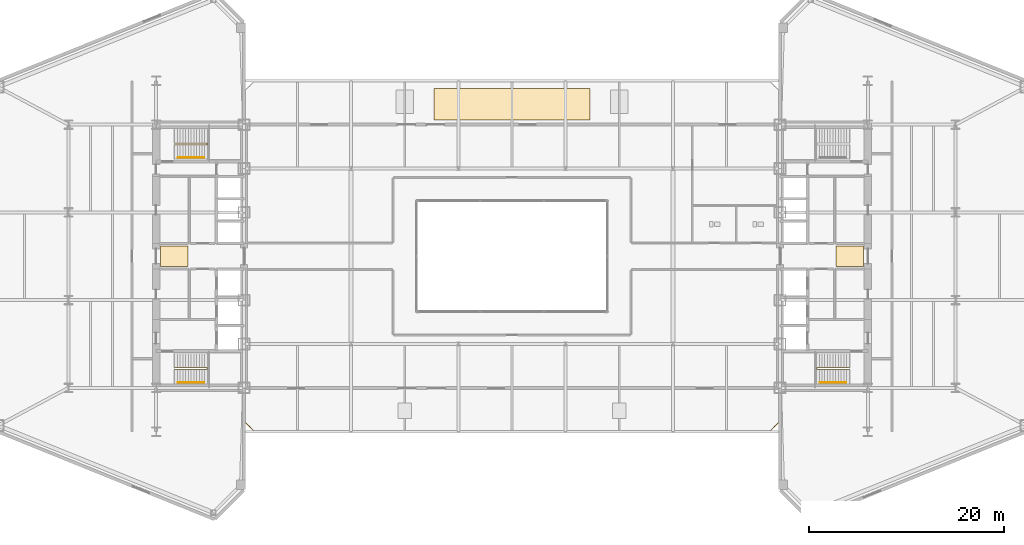
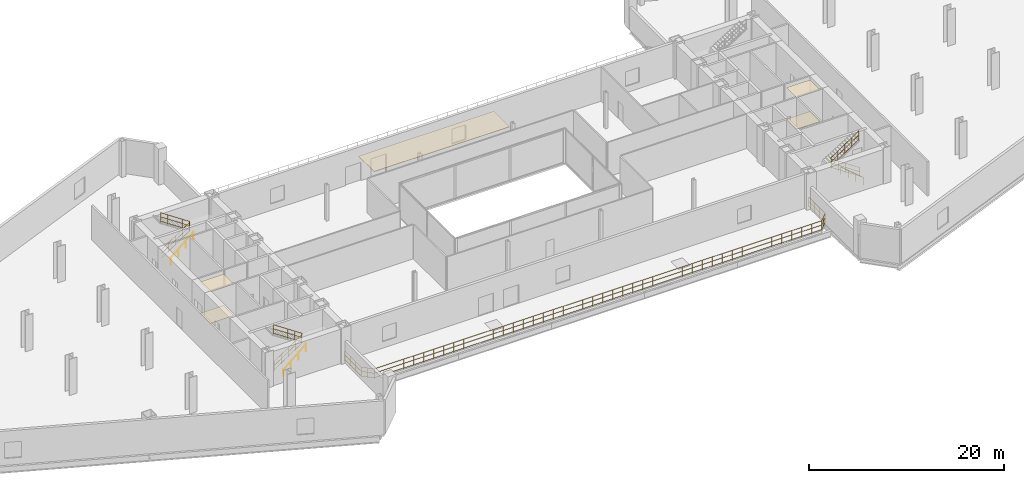
# One storey, part 21 of 23: 7 railings, 5 coverings.
"""IFC4 building model written with IfcOpenShell, lengths in metres."""

from ifc_helpers import new_model, si_unit, direction, frame, origin, origin_2d, place, context, subcontext, project, spatial, polyline, circle, outline, extrude, material, layer, layer_set, type_object, element, save


model = new_model("IFC4")

# Units and contexts
model_context = context("Model", 3, precision=1e-05, world=origin(), true_north=direction((0.0, 1.0)))
body_context = subcontext(model_context, "Body", "Model", "MODEL_VIEW")
ifc_project = project(units=[si_unit("LENGTHUNIT", "METRE"), si_unit("AREAUNIT", "SQUARE_METRE"), si_unit("VOLUMEUNIT", "CUBIC_METRE"), si_unit("PLANEANGLEUNIT", "RADIAN"), si_unit("MASSUNIT", "GRAM", prefix="KILO")], contexts=[model_context])

# Site, building, storey
site_placement = place(None, origin())
site = spatial("IfcSite", under=ifc_project, at=site_placement, CompositionType="ELEMENT")
building_placement = place(site_placement, origin())
building = spatial("IfcBuilding", under=site, at=building_placement, Name="Seokmaru Belvedere", CompositionType="ELEMENT")
storey_placement = place(building_placement, frame((0.0, 0.0, 14.39990234375)))
storey = spatial("IfcBuildingStorey", under=building, at=storey_placement, Name="L03", CompositionType="ELEMENT", Elevation=14.39990234375)

# Coverings
ifc_material_1 = material(Name="Honed Incheon Granite Stone", Category="masonry")
ifc_layer_1 = layer(ifc_material_1, 0.030029296875)
ifc_layer_set_1 = layer_set([ifc_layer_1], Name="Honed Incheon Granite Stone")
covering_type_1 = type_object("IfcCoveringType", Name="Honed Granite Lobby Floor Finish 30", PredefinedType="FLOORING", material=ifc_layer_set_1)
covering_1_placement = place(storey_placement, origin())
element("IfcCovering", 1, at=covering_1_placement, inside=storey, type_object=covering_type_1, Name="L03 W Foyer Floor Finish", PredefinedType="FLOORING", context=body_context, shape_type="SweptSolid", body=[
    extrude(outline(polyline([(-36.050048828125, -1.050048828125), (-33.25, -1.050048828125), (-33.25, 1.050048828125), (-36.050048828125, 1.050048828125), (-36.050048828125, -1.050048828125)])), origin(), (0.0, 0.0, 1.0), 0.030029296875),
])
covering_2_placement = place(storey_placement, origin())
element("IfcCovering", 2, at=covering_2_placement, inside=storey, type_object=covering_type_1, Name="L03 E Foyer Floor Finish", PredefinedType="FLOORING", context=body_context, shape_type="SweptSolid", body=[
    extrude(outline(polyline([(33.25, -1.050048828125), (36.050048828125, -1.050048828125), (36.050048828125, 1.050048828125), (33.25, 1.050048828125), (33.25, -1.050048828125)])), origin(), (0.0, 0.0, 1.0), 0.030029296875),
])
ifc_material_2 = material(Name="Insulated Elastomeric Roof Membrane")
ifc_layer_2 = layer(ifc_material_2, 0.06005859375)
ifc_layer_set_2 = layer_set([ifc_layer_2], Name="Insulated Elastomeric Roof Membrane")
covering_type_2 = type_object("IfcCoveringType", Name="Inverted Insulated Elastomeric Roof Membrane 60", PredefinedType="ROOFING", material=ifc_layer_set_2)
covering_3_placement = place(storey_placement, origin())
element("IfcCovering", 3, at=covering_3_placement, inside=storey, type_object=covering_type_2, Name="L03 Planted Terrace Waterproofing Membrane", PredefinedType="ROOFING", context=body_context, shape_type="SweptSolid", body=[
    extrude(outline(polyline([(-8.0, 14.0), (8.0, 14.0), (8.0, 17.199951171875), (-8.0, 17.199951171875), (-8.0, 14.0)])), origin(), (0.0, 0.0, 1.0), 0.06005859375),
])
ifc_material_3 = material(Name="Fire-Rated Gypsum Shaftwall")
ifc_layer_3 = layer(ifc_material_3, 0.02490234375)
ifc_layer_set_3 = layer_set([ifc_layer_3], Name="Fire-Rated Gypsum Shaftwall")
covering_type_3 = type_object("IfcCoveringType", Name="Perforated Acoustic Gypsum Suspended Ceiling 25", PredefinedType="CEILING", material=ifc_layer_set_3)
covering_4_placement = place(storey_placement, frame((0.0, 0.0, 3.93017578125)))
element("IfcCovering", 4, at=covering_4_placement, inside=storey, type_object=covering_type_3, Name="L03 W Lift Foyer Acoustic Ceiling", PredefinedType="CEILING", context=body_context, shape_type="SweptSolid", body=[
    extrude(outline(polyline([(-36.050048828125, -1.050048828125), (-33.25, -1.050048828125), (-33.25, 1.050048828125), (-36.050048828125, 1.050048828125), (-36.050048828125, -1.050048828125)])), origin(), (0.0, 0.0, 1.0), 0.02490234375),
])
covering_5_placement = place(storey_placement, frame((0.0, 0.0, 3.93017578125)))
element("IfcCovering", 5, at=covering_5_placement, inside=storey, type_object=covering_type_3, Name="L03 E Lift Foyer Acoustic Ceiling", PredefinedType="CEILING", context=body_context, shape_type="SweptSolid", body=[
    extrude(outline(polyline([(33.25, -1.050048828125), (36.050048828125, -1.050048828125), (36.050048828125, 1.050048828125), (33.25, 1.050048828125), (33.25, -1.050048828125)])), origin(), (0.0, 0.0, 1.0), 0.02490234375),
])

# Railings
ifc_material_4 = material(Name="Stainless Steel 316", Category="steel")
railing_type_1 = type_object("IfcRailingType", Name="Podium Garden Terrace Guardrail 1250", PredefinedType="GUARDRAIL", material=ifc_material_4)
railing_1_placement = place(storey_placement, frame((-27.419921875, -13.659912109375, 0.0)))
element("IfcRailing", 6, at=railing_1_placement, inside=storey, type_object=railing_type_1, Name="L03 South Cascading Terrace Guardrail", PredefinedType="GUARDRAIL", context=body_context, shape_type="SweptSolid", body=[
    extrude(circle(Radius=0.02392578125, at=origin_2d()), frame((0.0, 0.0, 1.22607421875), z_axis=(0.0, -1.0, 0.0), x_axis=(1.0, 0.0, 0.0)), (0.0, 0.0, 1.0), 3.340087890625),
    extrude(circle(Radius=0.02392578125, at=origin_2d()), frame((0.0, 0.0, 0.1201171875), z_axis=(0.0, -1.0, 0.0), x_axis=(1.0, 0.0, 0.0)), (0.0, 0.0, 1.0), 3.340087890625),
    extrude(circle(Radius=0.02392578125, at=origin_2d()), frame((0.0, 0.0, 0.6875), z_axis=(0.0, -1.0, 0.0), x_axis=(1.0, 0.0, 0.0)), (0.0, 0.0, 1.0), 3.340087890625),
    extrude(circle(Radius=0.02392578125, at=origin_2d()), frame((0.0, -3.340087890625, 1.22607421875), z_axis=(0.714441131143, -0.699695555318, 0.0), x_axis=(0.699695555318, 0.714441131143, 0.0)), (0.0, 0.0, 1.0), 1.357666015625),
    extrude(circle(Radius=0.02392578125, at=origin_2d()), frame((0.0, -3.340087890625, 0.1201171875), z_axis=(0.714441131143, -0.699695555318, 0.0), x_axis=(0.699695555318, 0.714441131143, 0.0)), (0.0, 0.0, 1.0), 1.357666015625),
    extrude(circle(Radius=0.02392578125, at=origin_2d()), frame((0.0, -3.340087890625, 0.6875), z_axis=(0.714441131143, -0.699695555318, 0.0), x_axis=(0.699695555318, 0.714441131143, 0.0)), (0.0, 0.0, 1.0), 1.357666015625),
    extrude(circle(Radius=0.02392578125, at=origin_2d()), frame((0.969970703125, -4.2900390625, 1.22607421875), z_axis=(1.0, 0.0, 0.0), x_axis=(0.0, 1.0, 0.0)), (0.0, 0.0, 1.0), 52.89990234375),
    extrude(circle(Radius=0.02392578125, at=origin_2d()), frame((0.969970703125, -4.2900390625, 0.1201171875), z_axis=(1.0, 0.0, 0.0), x_axis=(0.0, 1.0, 0.0)), (0.0, 0.0, 1.0), 52.89990234375),
    extrude(circle(Radius=0.02392578125, at=origin_2d()), frame((0.969970703125, -4.2900390625, 0.6875), z_axis=(1.0, 0.0, 0.0), x_axis=(0.0, 1.0, 0.0)), (0.0, 0.0, 1.0), 52.89990234375),
    extrude(circle(Radius=0.02392578125, at=origin_2d()), frame((53.869873046875, -4.2900390625, 1.22607421875), z_axis=(0.714441131143, 0.699695555318, 0.0), x_axis=(-0.699695555318, 0.714441131143, 0.0)), (0.0, 0.0, 1.0), 1.357666015625),
    extrude(circle(Radius=0.02392578125, at=origin_2d()), frame((53.869873046875, -4.2900390625, 0.1201171875), z_axis=(0.714441131143, 0.699695555318, 0.0), x_axis=(-0.699695555318, 0.714441131143, 0.0)), (0.0, 0.0, 1.0), 1.357666015625),
    extrude(circle(Radius=0.02392578125, at=origin_2d()), frame((53.869873046875, -4.2900390625, 0.6875), z_axis=(0.714441131143, 0.699695555318, 0.0), x_axis=(-0.699695555318, 0.714441131143, 0.0)), (0.0, 0.0, 1.0), 1.357666015625),
    extrude(circle(Radius=0.02392578125, at=origin_2d()), frame((54.83984375, -3.340087890625, 1.22607421875), z_axis=(0.0, 1.0, 0.0), x_axis=(-1.0, 0.0, 0.0)), (0.0, 0.0, 1.0), 3.340087890625),
    extrude(circle(Radius=0.02392578125, at=origin_2d()), frame((54.83984375, -3.340087890625, 0.1201171875), z_axis=(0.0, 1.0, 0.0), x_axis=(-1.0, 0.0, 0.0)), (0.0, 0.0, 1.0), 3.340087890625),
    extrude(circle(Radius=0.02392578125, at=origin_2d()), frame((54.83984375, -3.340087890625, 0.6875), z_axis=(0.0, 1.0, 0.0), x_axis=(-1.0, 0.0, 0.0)), (0.0, 0.0, 1.0), 3.340087890625),
    extrude(circle(Radius=0.02099609375, at=origin_2d()), origin(), (0.0, 0.0, 1.0), 1.201904296875),
    extrude(circle(Radius=0.02099609375, at=origin_2d()), frame((0.0, -1.11328125, 0.0)), (0.0, 0.0, 1.0), 1.201904296875),
    extrude(circle(Radius=0.02099609375, at=origin_2d()), frame((0.0, -2.226806640625, 0.0)), (0.0, 0.0, 1.0), 1.201904296875),
    extrude(circle(Radius=0.02099609375, at=origin_2d()), frame((0.0, -3.340087890625, 0.0)), (0.0, 0.0, 1.0), 1.201904296875),
    extrude(circle(Radius=0.02099609375, at=origin_2d()), frame((0.48486328125, -3.81494140625, 0.0)), (0.0, 0.0, 1.0), 1.201904296875),
    extrude(circle(Radius=0.02099609375, at=origin_2d()), frame((0.969970703125, -4.2900390625, 0.0)), (0.0, 0.0, 1.0), 1.201904296875),
    extrude(circle(Radius=0.02099609375, at=origin_2d()), frame((2.1455078125, -4.2900390625, 0.0)), (0.0, 0.0, 1.0), 1.201904296875),
    extrude(circle(Radius=0.02099609375, at=origin_2d()), frame((3.321044921875, -4.2900390625, 0.0)), (0.0, 0.0, 1.0), 1.201904296875),
    extrude(circle(Radius=0.02099609375, at=origin_2d()), frame((4.49658203125, -4.2900390625, 0.0)), (0.0, 0.0, 1.0), 1.201904296875),
    extrude(circle(Radius=0.02099609375, at=origin_2d()), frame((5.672119140625, -4.2900390625, 0.0)), (0.0, 0.0, 1.0), 1.201904296875),
    extrude(circle(Radius=0.02099609375, at=origin_2d()), frame((6.84765625, -4.2900390625, 0.0)), (0.0, 0.0, 1.0), 1.201904296875),
    extrude(circle(Radius=0.02099609375, at=origin_2d()), frame((8.023193359375, -4.2900390625, 0.0)), (0.0, 0.0, 1.0), 1.201904296875),
    extrude(circle(Radius=0.02099609375, at=origin_2d()), frame((9.19873046875, -4.2900390625, 0.0)), (0.0, 0.0, 1.0), 1.201904296875),
    extrude(circle(Radius=0.02099609375, at=origin_2d()), frame((10.37451171875, -4.2900390625, 0.0)), (0.0, 0.0, 1.0), 1.201904296875),
    extrude(circle(Radius=0.02099609375, at=origin_2d()), frame((11.550048828125, -4.2900390625, 0.0)), (0.0, 0.0, 1.0), 1.201904296875),
    extrude(circle(Radius=0.02099609375, at=origin_2d()), frame((12.7255859375, -4.2900390625, 0.0)), (0.0, 0.0, 1.0), 1.201904296875),
    extrude(circle(Radius=0.02099609375, at=origin_2d()), frame((13.901123046875, -4.2900390625, 0.0)), (0.0, 0.0, 1.0), 1.201904296875),
    extrude(circle(Radius=0.02099609375, at=origin_2d()), frame((15.07666015625, -4.2900390625, 0.0)), (0.0, 0.0, 1.0), 1.201904296875),
    extrude(circle(Radius=0.02099609375, at=origin_2d()), frame((16.252197265625, -4.2900390625, 0.0)), (0.0, 0.0, 1.0), 1.201904296875),
    extrude(circle(Radius=0.02099609375, at=origin_2d()), frame((17.427734375, -4.2900390625, 0.0)), (0.0, 0.0, 1.0), 1.201904296875),
    extrude(circle(Radius=0.02099609375, at=origin_2d()), frame((18.603271484375, -4.2900390625, 0.0)), (0.0, 0.0, 1.0), 1.201904296875),
    extrude(circle(Radius=0.02099609375, at=origin_2d()), frame((19.77880859375, -4.2900390625, 0.0)), (0.0, 0.0, 1.0), 1.201904296875),
    extrude(circle(Radius=0.02099609375, at=origin_2d()), frame((20.954345703125, -4.2900390625, 0.0)), (0.0, 0.0, 1.0), 1.201904296875),
    extrude(circle(Radius=0.02099609375, at=origin_2d()), frame((22.1298828125, -4.2900390625, 0.0)), (0.0, 0.0, 1.0), 1.201904296875),
    extrude(circle(Radius=0.02099609375, at=origin_2d()), frame((23.305419921875, -4.2900390625, 0.0)), (0.0, 0.0, 1.0), 1.201904296875),
    extrude(circle(Radius=0.02099609375, at=origin_2d()), frame((24.48095703125, -4.2900390625, 0.0)), (0.0, 0.0, 1.0), 1.201904296875),
    extrude(circle(Radius=0.02099609375, at=origin_2d()), frame((25.656494140625, -4.2900390625, 0.0)), (0.0, 0.0, 1.0), 1.201904296875),
    extrude(circle(Radius=0.02099609375, at=origin_2d()), frame((26.83203125, -4.2900390625, 0.0)), (0.0, 0.0, 1.0), 1.201904296875),
    extrude(circle(Radius=0.02099609375, at=origin_2d()), frame((28.0078125, -4.2900390625, 0.0)), (0.0, 0.0, 1.0), 1.201904296875),
    extrude(circle(Radius=0.02099609375, at=origin_2d()), frame((29.183349609375, -4.2900390625, 0.0)), (0.0, 0.0, 1.0), 1.201904296875),
    extrude(circle(Radius=0.02099609375, at=origin_2d()), frame((30.35888671875, -4.2900390625, 0.0)), (0.0, 0.0, 1.0), 1.201904296875),
    extrude(circle(Radius=0.02099609375, at=origin_2d()), frame((31.534423828125, -4.2900390625, 0.0)), (0.0, 0.0, 1.0), 1.201904296875),
    extrude(circle(Radius=0.02099609375, at=origin_2d()), frame((32.7099609375, -4.2900390625, 0.0)), (0.0, 0.0, 1.0), 1.201904296875),
    extrude(circle(Radius=0.02099609375, at=origin_2d()), frame((33.885498046875, -4.2900390625, 0.0)), (0.0, 0.0, 1.0), 1.201904296875),
    extrude(circle(Radius=0.02099609375, at=origin_2d()), frame((35.06103515625, -4.2900390625, 0.0)), (0.0, 0.0, 1.0), 1.201904296875),
    extrude(circle(Radius=0.02099609375, at=origin_2d()), frame((36.236572265625, -4.2900390625, 0.0)), (0.0, 0.0, 1.0), 1.201904296875),
    extrude(circle(Radius=0.02099609375, at=origin_2d()), frame((37.412109375, -4.2900390625, 0.0)), (0.0, 0.0, 1.0), 1.201904296875),
    extrude(circle(Radius=0.02099609375, at=origin_2d()), frame((38.587646484375, -4.2900390625, 0.0)), (0.0, 0.0, 1.0), 1.201904296875),
    extrude(circle(Radius=0.02099609375, at=origin_2d()), frame((39.76318359375, -4.2900390625, 0.0)), (0.0, 0.0, 1.0), 1.201904296875),
    extrude(circle(Radius=0.02099609375, at=origin_2d()), frame((40.938720703125, -4.2900390625, 0.0)), (0.0, 0.0, 1.0), 1.201904296875),
    extrude(circle(Radius=0.02099609375, at=origin_2d()), frame((42.1142578125, -4.2900390625, 0.0)), (0.0, 0.0, 1.0), 1.201904296875),
    extrude(circle(Radius=0.02099609375, at=origin_2d()), frame((43.289794921875, -4.2900390625, 0.0)), (0.0, 0.0, 1.0), 1.201904296875),
    extrude(circle(Radius=0.02099609375, at=origin_2d()), frame((44.46533203125, -4.2900390625, 0.0)), (0.0, 0.0, 1.0), 1.201904296875),
    extrude(circle(Radius=0.02099609375, at=origin_2d()), frame((45.64111328125, -4.2900390625, 0.0)), (0.0, 0.0, 1.0), 1.201904296875),
    extrude(circle(Radius=0.02099609375, at=origin_2d()), frame((46.816650390625, -4.2900390625, 0.0)), (0.0, 0.0, 1.0), 1.201904296875),
    extrude(circle(Radius=0.02099609375, at=origin_2d()), frame((47.9921875, -4.2900390625, 0.0)), (0.0, 0.0, 1.0), 1.201904296875),
    extrude(circle(Radius=0.02099609375, at=origin_2d()), frame((49.167724609375, -4.2900390625, 0.0)), (0.0, 0.0, 1.0), 1.201904296875),
    extrude(circle(Radius=0.02099609375, at=origin_2d()), frame((50.34326171875, -4.2900390625, 0.0)), (0.0, 0.0, 1.0), 1.201904296875),
    extrude(circle(Radius=0.02099609375, at=origin_2d()), frame((51.518798828125, -4.2900390625, 0.0)), (0.0, 0.0, 1.0), 1.201904296875),
    extrude(circle(Radius=0.02099609375, at=origin_2d()), frame((52.6943359375, -4.2900390625, 0.0)), (0.0, 0.0, 1.0), 1.201904296875),
    extrude(circle(Radius=0.02099609375, at=origin_2d()), frame((53.869873046875, -4.2900390625, 0.0)), (0.0, 0.0, 1.0), 1.201904296875),
    extrude(circle(Radius=0.02099609375, at=origin_2d()), frame((54.35498046875, -3.81494140625, 0.0)), (0.0, 0.0, 1.0), 1.201904296875),
    extrude(circle(Radius=0.02099609375, at=origin_2d()), frame((54.83984375, -3.340087890625, 0.0)), (0.0, 0.0, 1.0), 1.201904296875),
    extrude(circle(Radius=0.02099609375, at=origin_2d()), frame((54.83984375, -2.226806640625, 0.0)), (0.0, 0.0, 1.0), 1.201904296875),
    extrude(circle(Radius=0.02099609375, at=origin_2d()), frame((54.83984375, -1.11328125, 0.0)), (0.0, 0.0, 1.0), 1.201904296875),
    extrude(circle(Radius=0.02099609375, at=origin_2d()), frame((54.83984375, 0.0, 0.0)), (0.0, 0.0, 1.0), 1.201904296875),
])
railing_type_2 = type_object("IfcRailingType", Name="Stainless Steel Wall and Flight Handrail 900", PredefinedType="HANDRAIL", material=ifc_material_4)
for number, where, name in (
    (7, (-34.25, -12.949951171875, 0.0), "L03 Stair ST-W1 Wall Handrail"),
    (8, (-34.25, 10.110107421875, 0.0), "L03 Stair ST-W2 Wall Handrail"),
):
    element("IfcRailing", number, at=place(storey_placement, frame(where)), inside=storey, type_object=railing_type_2, Name=name, PredefinedType="HANDRAIL", context=body_context, shape_type="SweptSolid", body=[
        extrude(circle(Radius=0.02392578125, at=origin_2d()), frame((0.0, 0.0, 0.8759765625), z_axis=(0.763484625413, 0.0, 0.64582600347), x_axis=(0.0, 1.0, 0.0)), (0.0, 0.0, 1.0), 3.48388671875),
        extrude(circle(Radius=0.02099609375, at=origin_2d()), origin(), (0.0, 0.0, 1.0), 0.851806640625),
        extrude(circle(Radius=0.02099609375, at=origin_2d()), frame((0.88671875, 0.0, 0.75)), (0.0, 0.0, 1.0), 0.851806640625),
        extrude(circle(Radius=0.02099609375, at=origin_2d()), frame((1.773193359375, 0.0, 1.5)), (0.0, 0.0, 1.0), 0.851806640625),
        extrude(circle(Radius=0.02099609375, at=origin_2d()), frame((2.659912109375, 0.0, 2.25)), (0.0, 0.0, 1.0), 0.851806640625),
    ])
railing_2_placement = place(storey_placement, frame((34.25, -12.949951171875, 0.0)))
element("IfcRailing", 9, at=railing_2_placement, inside=storey, type_object=railing_type_2, Name="L03 Stair ST-E1 Wall Handrail", PredefinedType="HANDRAIL", context=body_context, shape_type="SweptSolid", body=[
    extrude(circle(Radius=0.02392578125, at=origin_2d()), frame((0.0, 0.0, 0.8759765625), z_axis=(-0.763484625413, 0.0, 0.64582600347), x_axis=(0.0, -1.0, 0.0)), (0.0, 0.0, 1.0), 3.48388671875),
    extrude(circle(Radius=0.02099609375, at=origin_2d()), origin(), (0.0, 0.0, 1.0), 0.851806640625),
    extrude(circle(Radius=0.02099609375, at=origin_2d()), frame((-0.88671875, 0.0, 0.75)), (0.0, 0.0, 1.0), 0.851806640625),
    extrude(circle(Radius=0.02099609375, at=origin_2d()), frame((-1.773193359375, 0.0, 1.5)), (0.0, 0.0, 1.0), 0.851806640625),
    extrude(circle(Radius=0.02099609375, at=origin_2d()), frame((-2.659912109375, 0.0, 2.25)), (0.0, 0.0, 1.0), 0.851806640625),
])
railing_type_3 = type_object("IfcRailingType", Name="Stair Well and Atrium Steel Guardrail 1200", PredefinedType="GUARDRAIL", material=ifc_material_4)
railing_3_placement = place(storey_placement, frame((-34.60009765625, -11.60009765625, 0.0)))
element("IfcRailing", 10, at=railing_3_placement, inside=storey, type_object=railing_type_3, Name="L03 Stair ST-W1 Inner Well Guardrail", PredefinedType="GUARDRAIL", context=body_context, shape_type="SweptSolid", body=[
    extrude(circle(Radius=0.02392578125, at=origin_2d()), frame((0.0, 0.0, 1.17578125), z_axis=(0.830915400975, 0.0, 0.556398774641), x_axis=(0.0, 1.0, 0.0)), (0.0, 0.0, 1.0), 4.0439453125),
    extrude(circle(Radius=0.02392578125, at=origin_2d()), frame((0.0, 0.0, 0.1201171875), z_axis=(0.830915400975, 0.0, 0.556398774641), x_axis=(0.0, 1.0, 0.0)), (0.0, 0.0, 1.0), 4.0439453125),
    extrude(circle(Radius=0.02392578125, at=origin_2d()), frame((0.0, 0.0, 0.659912109375), z_axis=(0.830915400975, 0.0, 0.556398774641), x_axis=(0.0, 1.0, 0.0)), (0.0, 0.0, 1.0), 4.0439453125),
    extrude(circle(Radius=0.02392578125, at=origin_2d()), frame((3.360107421875, 0.0, 3.42578125), z_axis=(0.0, 1.0, 0.0), x_axis=(-1.0, 0.0, 0.0)), (0.0, 0.0, 1.0), 0.14013671875),
    extrude(circle(Radius=0.02392578125, at=origin_2d()), frame((3.360107421875, 0.0, 2.3701171875), z_axis=(0.0, 1.0, 0.0), x_axis=(-1.0, 0.0, 0.0)), (0.0, 0.0, 1.0), 0.14013671875),
    extrude(circle(Radius=0.02392578125, at=origin_2d()), frame((3.360107421875, 0.0, 2.909912109375), z_axis=(0.0, 1.0, 0.0), x_axis=(-1.0, 0.0, 0.0)), (0.0, 0.0, 1.0), 0.14013671875),
    extrude(circle(Radius=0.02392578125, at=origin_2d()), frame((3.360107421875, 0.14013671875, 3.42578125), z_axis=(-0.830915400975, 0.0, 0.556398774641), x_axis=(0.0, -1.0, 0.0)), (0.0, 0.0, 1.0), 4.0439453125),
    extrude(circle(Radius=0.02392578125, at=origin_2d()), frame((3.360107421875, 0.14013671875, 2.3701171875), z_axis=(-0.830915400975, 0.0, 0.556398774641), x_axis=(0.0, -1.0, 0.0)), (0.0, 0.0, 1.0), 4.0439453125),
    extrude(circle(Radius=0.02392578125, at=origin_2d()), frame((3.360107421875, 0.14013671875, 2.909912109375), z_axis=(-0.830915400975, 0.0, 0.556398774641), x_axis=(0.0, -1.0, 0.0)), (0.0, 0.0, 1.0), 4.0439453125),
    extrude(circle(Radius=0.02099609375, at=origin_2d()), origin(), (0.0, 0.0, 1.0), 1.15185546875),
    extrude(circle(Radius=0.02099609375, at=origin_2d()), frame((0.840087890625, 0.0, 0.5625)), (0.0, 0.0, 1.0), 1.15185546875),
    extrude(circle(Radius=0.02099609375, at=origin_2d()), frame((1.68017578125, 0.0, 1.125)), (0.0, 0.0, 1.0), 1.15185546875),
    extrude(circle(Radius=0.02099609375, at=origin_2d()), frame((2.52001953125, 0.0, 1.6875)), (0.0, 0.0, 1.0), 1.15185546875),
    extrude(circle(Radius=0.02099609375, at=origin_2d()), frame((3.360107421875, 0.0, 2.25)), (0.0, 0.0, 1.0), 1.15185546875),
    extrude(circle(Radius=0.02099609375, at=origin_2d()), frame((3.360107421875, 0.14013671875, 2.25)), (0.0, 0.0, 1.0), 1.15185546875),
    extrude(circle(Radius=0.02099609375, at=origin_2d()), frame((2.52001953125, 0.14013671875, 2.8125)), (0.0, 0.0, 1.0), 1.15185546875),
    extrude(circle(Radius=0.02099609375, at=origin_2d()), frame((1.68017578125, 0.14013671875, 3.375)), (0.0, 0.0, 1.0), 1.15185546875),
    extrude(circle(Radius=0.02099609375, at=origin_2d()), frame((0.840087890625, 0.14013671875, 3.9375)), (0.0, 0.0, 1.0), 1.15185546875),
    extrude(circle(Radius=0.02099609375, at=origin_2d()), frame((0.0, 0.14013671875, 4.5)), (0.0, 0.0, 1.0), 1.15185546875),
])
railing_4_placement = place(storey_placement, frame((-34.60009765625, 11.4599609375, 0.0)))
element("IfcRailing", 11, at=railing_4_placement, inside=storey, type_object=railing_type_3, Name="L03 Stair ST-W2 Inner Well Guardrail", PredefinedType="GUARDRAIL", context=body_context, shape_type="SweptSolid", body=[
    extrude(circle(Radius=0.02392578125, at=origin_2d()), frame((0.0, 0.0, 1.17578125), z_axis=(0.830915400975, 0.0, 0.556398774641), x_axis=(0.0, 1.0, 0.0)), (0.0, 0.0, 1.0), 4.0439453125),
    extrude(circle(Radius=0.02392578125, at=origin_2d()), frame((0.0, 0.0, 0.1201171875), z_axis=(0.830915400975, 0.0, 0.556398774641), x_axis=(0.0, 1.0, 0.0)), (0.0, 0.0, 1.0), 4.0439453125),
    extrude(circle(Radius=0.02392578125, at=origin_2d()), frame((0.0, 0.0, 0.659912109375), z_axis=(0.830915400975, 0.0, 0.556398774641), x_axis=(0.0, 1.0, 0.0)), (0.0, 0.0, 1.0), 4.0439453125),
    extrude(circle(Radius=0.02392578125, at=origin_2d()), frame((3.360107421875, 0.0, 3.42578125), z_axis=(0.0, 1.0, 0.0), x_axis=(-1.0, 0.0, 0.0)), (0.0, 0.0, 1.0), 0.14013671875),
    extrude(circle(Radius=0.02392578125, at=origin_2d()), frame((3.360107421875, 0.0, 2.3701171875), z_axis=(0.0, 1.0, 0.0), x_axis=(-1.0, 0.0, 0.0)), (0.0, 0.0, 1.0), 0.14013671875),
    extrude(circle(Radius=0.02392578125, at=origin_2d()), frame((3.360107421875, 0.0, 2.909912109375), z_axis=(0.0, 1.0, 0.0), x_axis=(-1.0, 0.0, 0.0)), (0.0, 0.0, 1.0), 0.14013671875),
    extrude(circle(Radius=0.02392578125, at=origin_2d()), frame((3.360107421875, 0.14013671875, 3.42578125), z_axis=(-0.830915400975, 0.0, 0.556398774641), x_axis=(0.0, -1.0, 0.0)), (0.0, 0.0, 1.0), 4.0439453125),
    extrude(circle(Radius=0.02392578125, at=origin_2d()), frame((3.360107421875, 0.14013671875, 2.3701171875), z_axis=(-0.830915400975, 0.0, 0.556398774641), x_axis=(0.0, -1.0, 0.0)), (0.0, 0.0, 1.0), 4.0439453125),
    extrude(circle(Radius=0.02392578125, at=origin_2d()), frame((3.360107421875, 0.14013671875, 2.909912109375), z_axis=(-0.830915400975, 0.0, 0.556398774641), x_axis=(0.0, -1.0, 0.0)), (0.0, 0.0, 1.0), 4.0439453125),
    extrude(circle(Radius=0.02099609375, at=origin_2d()), origin(), (0.0, 0.0, 1.0), 1.15185546875),
    extrude(circle(Radius=0.02099609375, at=origin_2d()), frame((0.840087890625, 0.0, 0.5625)), (0.0, 0.0, 1.0), 1.15185546875),
    extrude(circle(Radius=0.02099609375, at=origin_2d()), frame((1.68017578125, 0.0, 1.125)), (0.0, 0.0, 1.0), 1.15185546875),
    extrude(circle(Radius=0.02099609375, at=origin_2d()), frame((2.52001953125, 0.0, 1.6875)), (0.0, 0.0, 1.0), 1.15185546875),
    extrude(circle(Radius=0.02099609375, at=origin_2d()), frame((3.360107421875, 0.0, 2.25)), (0.0, 0.0, 1.0), 1.15185546875),
    extrude(circle(Radius=0.02099609375, at=origin_2d()), frame((3.360107421875, 0.14013671875, 2.25)), (0.0, 0.0, 1.0), 1.15185546875),
    extrude(circle(Radius=0.02099609375, at=origin_2d()), frame((2.52001953125, 0.14013671875, 2.8125)), (0.0, 0.0, 1.0), 1.15185546875),
    extrude(circle(Radius=0.02099609375, at=origin_2d()), frame((1.68017578125, 0.14013671875, 3.375)), (0.0, 0.0, 1.0), 1.15185546875),
    extrude(circle(Radius=0.02099609375, at=origin_2d()), frame((0.840087890625, 0.14013671875, 3.9375)), (0.0, 0.0, 1.0), 1.15185546875),
    extrude(circle(Radius=0.02099609375, at=origin_2d()), frame((0.0, 0.14013671875, 4.5)), (0.0, 0.0, 1.0), 1.15185546875),
])
railing_5_placement = place(storey_placement, frame((34.60009765625, -11.60009765625, 0.0)))
element("IfcRailing", 12, at=railing_5_placement, inside=storey, type_object=railing_type_3, Name="L03 Stair ST-E1 Inner Well Guardrail", PredefinedType="GUARDRAIL", context=body_context, shape_type="SweptSolid", body=[
    extrude(circle(Radius=0.02392578125, at=origin_2d()), frame((0.0, 0.0, 1.17578125), z_axis=(-0.830915400975, 0.0, 0.556398774641), x_axis=(0.0, -1.0, 0.0)), (0.0, 0.0, 1.0), 4.0439453125),
    extrude(circle(Radius=0.02392578125, at=origin_2d()), frame((0.0, 0.0, 0.1201171875), z_axis=(-0.830915400975, 0.0, 0.556398774641), x_axis=(0.0, -1.0, 0.0)), (0.0, 0.0, 1.0), 4.0439453125),
    extrude(circle(Radius=0.02392578125, at=origin_2d()), frame((0.0, 0.0, 0.659912109375), z_axis=(-0.830915400975, 0.0, 0.556398774641), x_axis=(0.0, -1.0, 0.0)), (0.0, 0.0, 1.0), 4.0439453125),
    extrude(circle(Radius=0.02392578125, at=origin_2d()), frame((-3.360107421875, 0.0, 3.42578125), z_axis=(0.0, 1.0, 0.0), x_axis=(-1.0, 0.0, 0.0)), (0.0, 0.0, 1.0), 0.14013671875),
    extrude(circle(Radius=0.02392578125, at=origin_2d()), frame((-3.360107421875, 0.0, 2.3701171875), z_axis=(0.0, 1.0, 0.0), x_axis=(-1.0, 0.0, 0.0)), (0.0, 0.0, 1.0), 0.14013671875),
    extrude(circle(Radius=0.02392578125, at=origin_2d()), frame((-3.360107421875, 0.0, 2.909912109375), z_axis=(0.0, 1.0, 0.0), x_axis=(-1.0, 0.0, 0.0)), (0.0, 0.0, 1.0), 0.14013671875),
    extrude(circle(Radius=0.02392578125, at=origin_2d()), frame((-3.360107421875, 0.14013671875, 3.42578125), z_axis=(0.830915400975, 0.0, 0.556398774641), x_axis=(0.0, 1.0, 0.0)), (0.0, 0.0, 1.0), 4.0439453125),
    extrude(circle(Radius=0.02392578125, at=origin_2d()), frame((-3.360107421875, 0.14013671875, 2.3701171875), z_axis=(0.830915400975, 0.0, 0.556398774641), x_axis=(0.0, 1.0, 0.0)), (0.0, 0.0, 1.0), 4.0439453125),
    extrude(circle(Radius=0.02392578125, at=origin_2d()), frame((-3.360107421875, 0.14013671875, 2.909912109375), z_axis=(0.830915400975, 0.0, 0.556398774641), x_axis=(0.0, 1.0, 0.0)), (0.0, 0.0, 1.0), 4.0439453125),
    extrude(circle(Radius=0.02099609375, at=origin_2d()), origin(), (0.0, 0.0, 1.0), 1.15185546875),
    extrude(circle(Radius=0.02099609375, at=origin_2d()), frame((-0.840087890625, 0.0, 0.5625)), (0.0, 0.0, 1.0), 1.15185546875),
    extrude(circle(Radius=0.02099609375, at=origin_2d()), frame((-1.68017578125, 0.0, 1.125)), (0.0, 0.0, 1.0), 1.15185546875),
    extrude(circle(Radius=0.02099609375, at=origin_2d()), frame((-2.52001953125, 0.0, 1.6875)), (0.0, 0.0, 1.0), 1.15185546875),
    extrude(circle(Radius=0.02099609375, at=origin_2d()), frame((-3.360107421875, 0.0, 2.25)), (0.0, 0.0, 1.0), 1.15185546875),
    extrude(circle(Radius=0.02099609375, at=origin_2d()), frame((-3.360107421875, 0.14013671875, 2.25)), (0.0, 0.0, 1.0), 1.15185546875),
    extrude(circle(Radius=0.02099609375, at=origin_2d()), frame((-2.52001953125, 0.14013671875, 2.8125)), (0.0, 0.0, 1.0), 1.15185546875),
    extrude(circle(Radius=0.02099609375, at=origin_2d()), frame((-1.68017578125, 0.14013671875, 3.375)), (0.0, 0.0, 1.0), 1.15185546875),
    extrude(circle(Radius=0.02099609375, at=origin_2d()), frame((-0.840087890625, 0.14013671875, 3.9375)), (0.0, 0.0, 1.0), 1.15185546875),
    extrude(circle(Radius=0.02099609375, at=origin_2d()), frame((0.0, 0.14013671875, 4.5)), (0.0, 0.0, 1.0), 1.15185546875),
])

save(model, "model.ifc")
